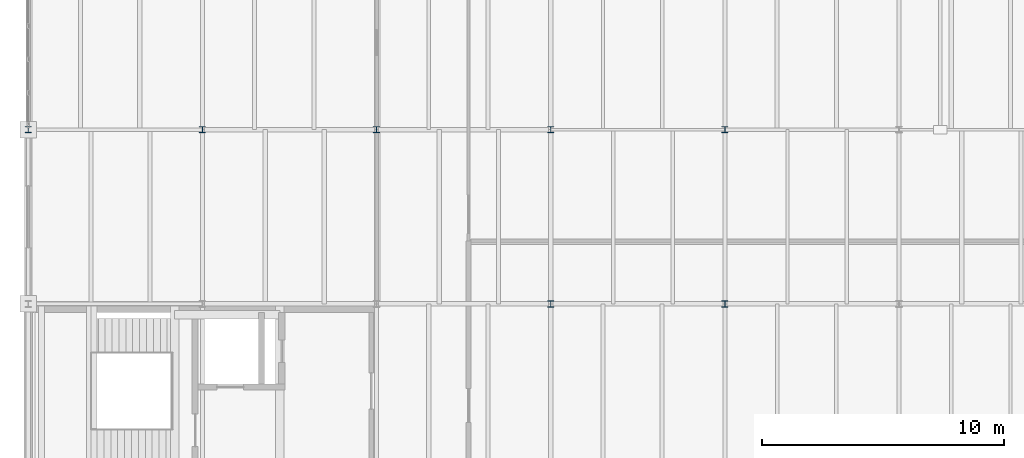
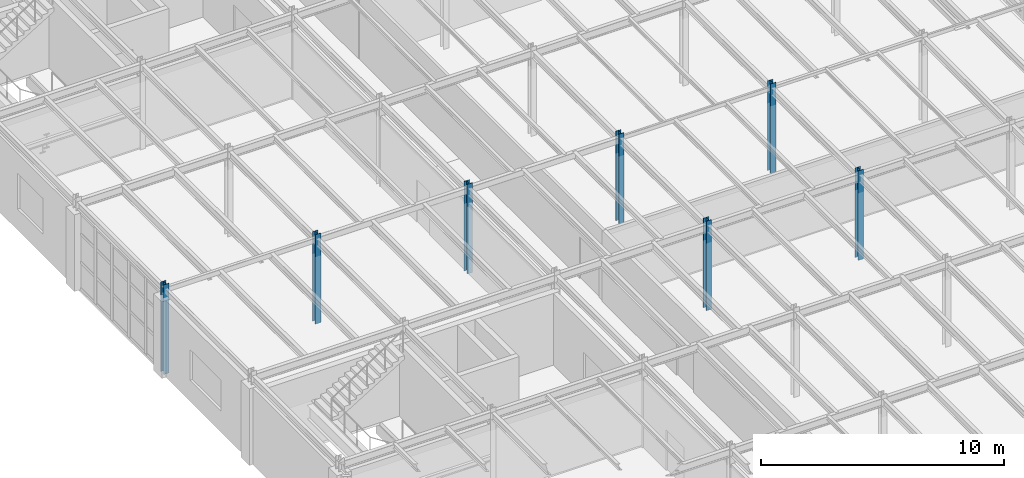
# One storey, part 2 of 36: 7 columns.
"""IFC4 building model written with IfcOpenShell, lengths in metres."""

import ifcopenshell
import ifcopenshell.guid

model = None  # the IFC model being written
_history = None  # IfcOwnerHistory: only IFC2X3 demands one
_inside = {}  # id of a spatial element -> (the spatial element, [elements in it])
_under = {}  # id of a project, library or spatial element -> (it, [spatial elements below it])
_declared = {}  # id of a project -> (the project, [libraries it declares])
_typed = {}  # id of a type object -> (the type object, [elements of that type])
_made_of = {}  # id of a material, layer set ... -> (it, [elements and type objects made of it])


def new_model(schema):
    """Start an empty IFC model of exactly this schema.

    Asked for "IFC4X3", IfcOpenShell would pick the latest addendum, in which some entities
    have other attributes; the version numbers below select the first issue.
    IFC2X3 requires an IfcOwnerHistory on every rooted entity: one is made here for all.
    """
    global model, _history
    if schema == "IFC4X3":
        model = ifcopenshell.file(schema_version=(4, 3, 0, 0))
    else:
        model = ifcopenshell.file(schema=schema)
    _inside.clear()
    _under.clear()
    _declared.clear()
    _typed.clear()
    _made_of.clear()
    _history = None
    if model.schema == "IFC2X3":
        org = make("IfcOrganization", Name="unknown")
        user = make(
            "IfcPersonAndOrganization",
            ThePerson=make("IfcPerson", FamilyName="unknown"),
            TheOrganization=org,
        )
        app = make(
            "IfcApplication",
            ApplicationDeveloper=org,
            Version="unknown",
            ApplicationFullName="unknown",
            ApplicationIdentifier="unknown",
        )
        _history = make(
            "IfcOwnerHistory",
            OwningUser=user,
            OwningApplication=app,
            ChangeAction="ADDED",
            CreationDate=0,
        )
    return model


def make(cls, **values):
    """One entity of the class cls with the attributes given. An attribute that is None is left unset."""
    return model.create_entity(
        cls, **{name: value for name, value in values.items() if value is not None}
    )


def rooted(cls, **values):
    """An entity with a GlobalId (a new one), such as an element, a storey or a relation."""
    return make(cls, GlobalId=ifcopenshell.guid.new(), OwnerHistory=_history, **values)


def si_unit(unit_type, name, prefix=None):
    """IfcSIUnit, for example si_unit("LENGTHUNIT", "METRE", prefix="MILLI")."""
    return make("IfcSIUnit", UnitType=unit_type, Prefix=prefix, Name=name)


def assignment(units):
    """IfcUnitAssignment: the units of a project."""
    return None if units is None else make("IfcUnitAssignment", Units=units)


def point(xyz):
    """IfcCartesianPoint."""
    return None if xyz is None else make("IfcCartesianPoint", Coordinates=xyz)


def direction(xyz):
    """IfcDirection."""
    return None if xyz is None else make("IfcDirection", DirectionRatios=xyz)


def frame(location, z_axis=None, x_axis=None):
    """IfcAxis2Placement3D, a coordinate frame: its origin and axes. An axis left out is left unset."""
    return make(
        "IfcAxis2Placement3D",
        Location=point(location),
        Axis=direction(z_axis),
        RefDirection=direction(x_axis),
    )


def frame_2d(location, x_axis=None):
    """IfcAxis2Placement2D, a coordinate frame in the plane: its origin and x axis."""
    return make(
        "IfcAxis2Placement2D", Location=point(location), RefDirection=direction(x_axis)
    )


def origin():
    """The frame at (0, 0, 0) with its axes left unset."""
    return frame((0.0, 0.0, 0.0))


def origin_2d():
    """The frame at (0, 0) in the plane with its x axis left unset."""
    return frame_2d((0.0, 0.0))


def place(relative_to, where):
    """IfcLocalPlacement: puts the frame where relative to a parent placement (None: the world)."""
    return make(
        "IfcLocalPlacement", PlacementRelTo=relative_to, RelativePlacement=where
    )


def context(
    kind, dimensions, precision=None, world=None, true_north=None, identifier=None
):
    """IfcGeometricRepresentationContext, for example the 3D "Model" context."""
    return make(
        "IfcGeometricRepresentationContext",
        ContextIdentifier=identifier,
        ContextType=kind,
        CoordinateSpaceDimension=dimensions,
        Precision=precision,
        WorldCoordinateSystem=world,
        TrueNorth=true_north,
    )


def subcontext(parent, identifier, kind, view, scale=None):
    """IfcGeometricRepresentationSubContext, for example "Body" below "Model"."""
    return make(
        "IfcGeometricRepresentationSubContext",
        ContextIdentifier=identifier,
        ContextType=kind,
        ParentContext=parent,
        TargetScale=scale,
        TargetView=view,
    )


def project(units=None, contexts=None):
    """IfcProject with its units and contexts."""
    return rooted(
        "IfcProject",
        Name="project",
        RepresentationContexts=contexts,
        UnitsInContext=assignment(units),
    )


def spatial(cls, under=None, at=None, **own):
    """A site, building, storey or space (cls), placed at a placement, below another one or the project."""
    s = rooted(cls, ObjectPlacement=at, **own)
    if under is not None:
        _under.setdefault(under.id(), (under, []))[1].append(s)
    return s


def profile(cls, at=None, kind="AREA", **sizes):
    """A parametric profile (cls). Its sizes go by their IFC names, for example OverallWidth=200.0."""
    return make(cls, ProfileType=kind, Position=at, **sizes)


def i_section(**sizes):
    """IfcIShapeProfileDef."""
    return profile("IfcIShapeProfileDef", **sizes)


def extrude(swept, where, along, depth):
    """IfcExtrudedAreaSolid: the profile swept, set in the frame where, extruded along a direction by depth."""
    return make(
        "IfcExtrudedAreaSolid",
        SweptArea=swept,
        Position=where,
        ExtrudedDirection=direction(along),
        Depth=depth,
    )


def shape(context_of_items, identifier, shape_type, items):
    """IfcShapeRepresentation: the items that make up one representation, for example the "Body"."""
    return make(
        "IfcShapeRepresentation",
        ContextOfItems=context_of_items,
        RepresentationIdentifier=identifier,
        RepresentationType=shape_type,
        Items=items,
    )


def material(Name=None, Category=None):
    """IfcMaterial."""
    return make("IfcMaterial", Name=Name, Category=Category)


def material_profile(
    of_material, cross_section, Name=None, Category=None, Priority=None
):
    """IfcMaterialProfile: a cross section and its material."""
    return make(
        "IfcMaterialProfile",
        Name=Name,
        Material=of_material,
        Profile=cross_section,
        Priority=Priority,
        Category=Category,
    )


def profile_set(profiles, Name=None, composite=None):
    """IfcMaterialProfileSet."""
    return make(
        "IfcMaterialProfileSet",
        Name=Name,
        MaterialProfiles=profiles,
        CompositeProfile=composite,
    )


def made_of(thing, what):
    """Note that an element or type object is made of a material, layer set ...; save() writes the relation."""
    if what is not None:
        _made_of.setdefault(what.id(), (what, []))[1].append(thing)
    return thing


def type_object(cls, material=None, **own):
    """A type object (cls), such as IfcWallType, which elements share."""
    return made_of(rooted(cls, **own), material)


def element(
    cls,
    number,
    at=None,
    inside=None,
    cuts=None,
    type_object=None,
    material=None,
    context=None,
    identifier="Body",
    shape_type=None,
    held_by="IfcProductDefinitionShape",
    body=None,
    shapes=None,
    **own,
):
    """One element of the class cls, such as IfcWall. Its Tag is "e" and its number.

    at: its placement. inside: the storey or other place that contains it. cuts: it is an
    opening in that element (IfcRelVoidsElement). A single representation is given by context,
    identifier, shape_type and body (its items); several are given by shapes. held_by: the class
    of the entity that holds the representations. save() writes the other relations.
    """
    e = rooted(cls, Tag="e%d" % number, ObjectPlacement=at, **own)
    if body is not None:
        shapes = [shape(context, identifier, shape_type, body)]
    if shapes is not None:
        e.Representation = make(held_by, Representations=shapes)
    if inside is not None:
        _inside.setdefault(inside.id(), (inside, []))[1].append(e)
    if cuts is not None:
        rooted(
            "IfcRelVoidsElement", RelatingBuildingElement=cuts, RelatedOpeningElement=e
        )
    if type_object is not None:
        _typed.setdefault(type_object.id(), (type_object, []))[1].append(e)
    return made_of(e, material)


def aggregate(whole, parts):
    """IfcRelAggregates: a whole, such as a stair, and the parts it consists of."""
    return rooted("IfcRelAggregates", RelatingObject=whole, RelatedObjects=parts)


def save(model, path):
    """Write the relations noted so far, then the file.

    IfcRelAggregates (storeys below a building ...), IfcRelContainedInSpatialStructure (elements
    in a storey), IfcRelDefinesByType, IfcRelAssociatesMaterial and IfcRelDeclares: one each for
    every whole, place, type object, material and project.
    """
    for whole, parts in _under.values():
        aggregate(whole, parts)
    for where, things in _inside.values():
        rooted(
            "IfcRelContainedInSpatialStructure",
            RelatedElements=things,
            RelatingStructure=where,
        )
    for kind, things in _typed.values():
        rooted("IfcRelDefinesByType", RelatedObjects=things, RelatingType=kind)
    for what, things in _made_of.values():
        rooted("IfcRelAssociatesMaterial", RelatedObjects=things, RelatingMaterial=what)
    for by, libraries in _declared.values():
        rooted("IfcRelDeclares", RelatingContext=by, RelatedDefinitions=libraries)
    model.write(path)


model = new_model("IFC4")

# Units and contexts
model_context = context("Model", 3, precision=1e-05, world=origin(), true_north=direction((0.0, 1.0)))
body_context = subcontext(model_context, "Body", "Model", "MODEL_VIEW")
ifc_project = project(units=[si_unit("LENGTHUNIT", "METRE"), si_unit("AREAUNIT", "SQUARE_METRE"), si_unit("VOLUMEUNIT", "CUBIC_METRE"), si_unit("PLANEANGLEUNIT", "RADIAN"), si_unit("MASSUNIT", "GRAM", prefix="KILO")], contexts=[model_context])

# Site, building, storey
site_placement = place(None, origin())
site = spatial("IfcSite", under=ifc_project, at=site_placement, CompositionType="ELEMENT")
building_placement = place(site_placement, origin())
building = spatial("IfcBuilding", under=site, at=building_placement, Name="Kemerveld Promenade Tramway Depot", CompositionType="ELEMENT")
storey_placement = place(building_placement, frame((0.0, 0.0, 14.39990234375)))
storey = spatial("IfcBuildingStorey", under=building, at=storey_placement, Name="L03", CompositionType="ELEMENT", Elevation=14.39990234375)

# Columns
ifc_material = material(Name="Steel S355", Category="steel")
ifc_material_profile = material_profile(ifc_material, i_section(OverallWidth=0.25634765625, OverallDepth=0.26025390625, WebThickness=0.01025390625, FlangeThickness=0.017333984375, FilletRadius=0.0126953125, at=origin_2d()), Name="254x254x89 UC")
ifc_profile_set = profile_set([ifc_material_profile], Name="Steel S355")
column_type = type_object("IfcColumnType", Name="COL-S08", PredefinedType="COLUMN", material=ifc_profile_set)
for number, where, z_axis, x_axis, name in (
    (1, (0.0, 28.800048828125, 0.0), (0.0, 0.0, 1.0), (1.0, 0.0, 0.0), "COL-L03-01-E"),
    (2, (7.199951171875, 28.800048828125, 0.0), (0.0, 0.0, 1.0), (1.0, 0.0, 0.0), "COL-L03-02-E"),
    (3, (14.39990234375, 28.800048828125, 0.0), (0.0, 0.0, 1.0), (1.0, 0.0, 0.0), "COL-L03-03-E"),
    (4, (21.60009765625, 21.60009765625, 0.0), (0.0, 0.0, 1.0), (1.0, 0.0, 0.0), "COL-L03-04-D"),
    (5, (21.60009765625, 28.800048828125, 0.0), (0.0, 0.0, 1.0), (1.0, 0.0, 0.0), "COL-L03-04-E"),
    (6, (28.800048828125, 21.60009765625, 0.0), (0.0, 0.0, 1.0), (1.0, 0.0, 0.0), "COL-L03-05-D"),
    (7, (28.800048828125, 28.800048828125, 0.0), (0.0, 0.0, 1.0), (1.0, 0.0, 0.0), "COL-L03-05-E"),
):
    element("IfcColumn", number, at=place(storey_placement, frame(where, z_axis=z_axis, x_axis=x_axis)), inside=storey, type_object=column_type, Name=name, PredefinedType="COLUMN", context=body_context, shape_type="SweptSolid", body=[
        extrude(i_section(OverallWidth=0.25634765625, OverallDepth=0.26025390625, WebThickness=0.01025390625, FlangeThickness=0.017333984375, FilletRadius=0.0126953125, at=origin_2d()), origin(), (0.0, 0.0, 1.0), 4.5),
    ])

save(model, "model.ifc")
